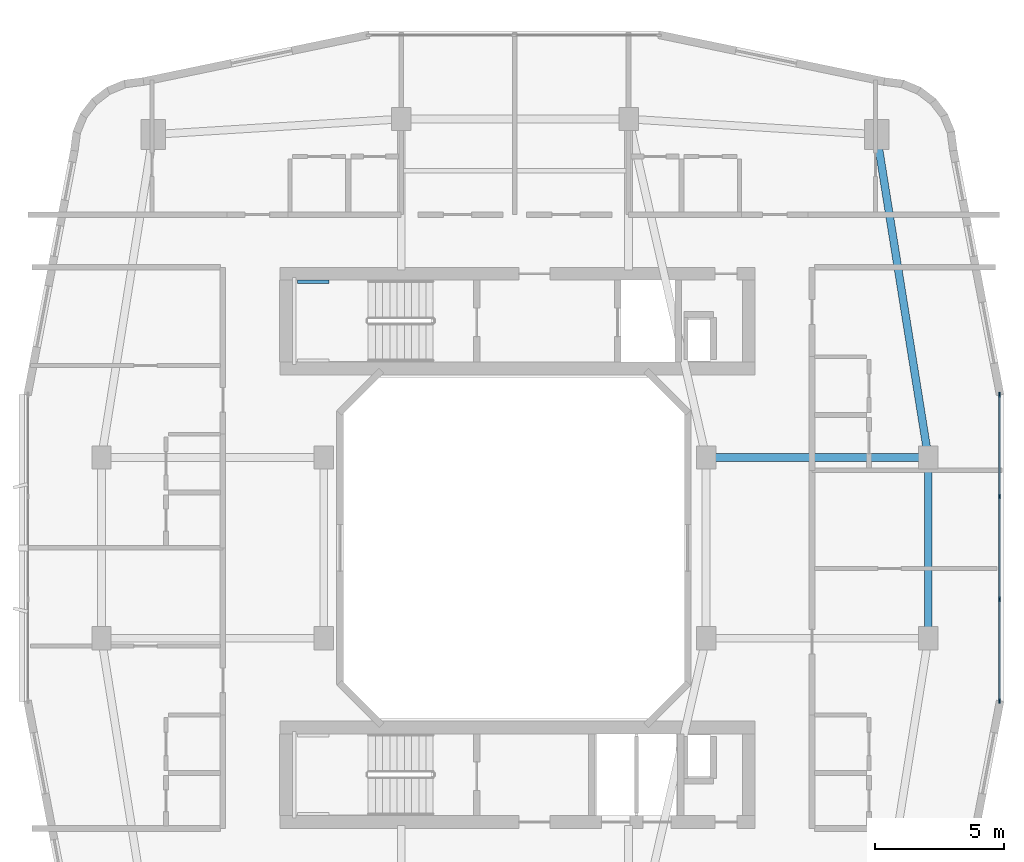
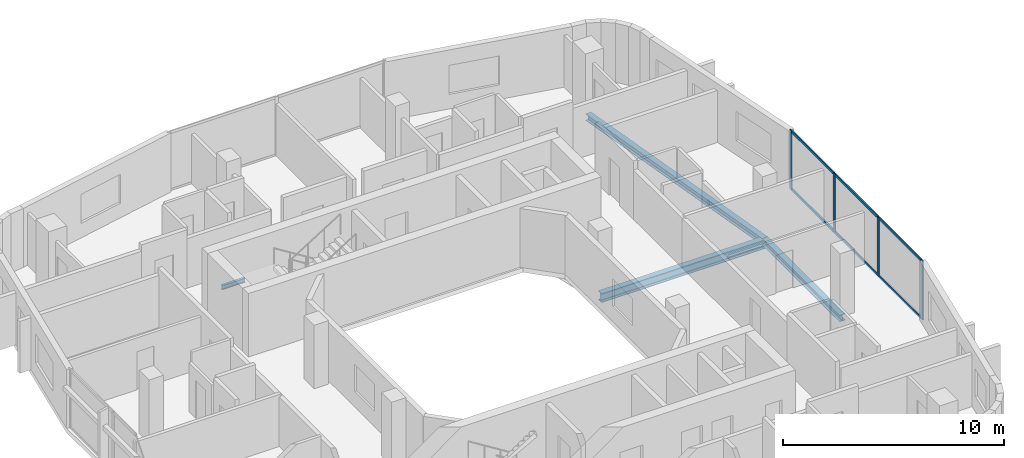
# One storey, part 10 of 26: 10 members, 4 beams, 1 element without a shape of its own.
"""IFC4 building model written with IfcOpenShell, lengths in metres."""

from ifc_helpers import new_model, si_unit, derived_unit, direction, frame, origin, origin_2d, place, context, subcontext, project, spatial, rectangle, i_section, extrude, material, layer, layer_set, material_profile, profile_set, type_object, element, aggregate, save


model = new_model("IFC4")

# Units and contexts
model_context = context("Model", 3, precision=1e-05, world=origin(), true_north=direction((0.0, 1.0)))
body_context = subcontext(model_context, "Body", "Model", "MODEL_VIEW")
ifc_project = project(units=[si_unit("LENGTHUNIT", "METRE"), si_unit("AREAUNIT", "SQUARE_METRE"), si_unit("VOLUMEUNIT", "CUBIC_METRE"), si_unit("PLANEANGLEUNIT", "RADIAN"), si_unit("MASSUNIT", "GRAM", prefix="KILO"), derived_unit("THERMALTRANSMITTANCEUNIT", [(si_unit("POWERUNIT", "WATT"), 1), (si_unit("LENGTHUNIT", "METRE"), -2), (si_unit("THERMODYNAMICTEMPERATUREUNIT", "KELVIN"), -1)])], contexts=[model_context])

# Site, building, storey
site_placement = place(None, origin())
site = spatial("IfcSite", under=ifc_project, at=site_placement, CompositionType="ELEMENT")
building_placement = place(site_placement, origin())
building = spatial("IfcBuilding", under=site, at=building_placement, Name="Kivonza Crest Hotel", CompositionType="ELEMENT")
storey_placement = place(building_placement, frame((0.0, 0.0, 62.5)))
storey = spatial("IfcBuildingStorey", under=building, at=storey_placement, Name="L16", CompositionType="ELEMENT", Elevation=62.5)

# Beams
ifc_material_1 = material(Name="Steel S355", Category="steel")
ifc_material_profile_1 = material_profile(ifc_material_1, i_section(OverallWidth=0.300048828125, OverallDepth=0.360107421875, WebThickness=0.012451171875, FlangeThickness=0.0224609375, FilletRadius=0.027099609375, at=origin_2d()), Name="HEB 360")
ifc_profile_set_1 = profile_set([ifc_material_profile_1], Name="Steel S355")
beam_type_1 = type_object("IfcBeamType", Name="BM-HEB360", PredefinedType="SPANDREL", material=ifc_profile_set_1)
beam_1_placement = place(storey_placement, frame((93.0, 21.5, -0.429931640625), z_axis=(0.0, 1.0, 0.0), x_axis=(-1.0, 0.0, 0.0)))
element("IfcBeam", 1, at=beam_1_placement, inside=storey, type_object=beam_type_1, Name="Companion Tower T2 L16 perimeter spandrel E1-E2", PredefinedType="SPANDREL", context=body_context, shape_type="SweptSolid", body=[
    extrude(i_section(OverallWidth=0.300048828125, OverallDepth=0.360107421875, WebThickness=0.012451171875, FlangeThickness=0.0224609375, FilletRadius=0.027099609375, at=origin_2d()), origin(), (0.0, 0.0, 1.0), 7.0),
])
beam_2_placement = place(storey_placement, frame((93.0, 28.5, -0.429931640625), z_axis=(-0.157990501107, 0.987440631917, 0.0), x_axis=(-0.987440631917, -0.157990501107, 0.0)))
element("IfcBeam", 2, at=beam_2_placement, inside=storey, type_object=beam_type_1, Name="Companion Tower T2 L16 perimeter spandrel E2-NE", PredefinedType="SPANDREL", context=body_context, shape_type="SweptSolid", body=[
    extrude(i_section(OverallWidth=0.300048828125, OverallDepth=0.360107421875, WebThickness=0.012451171875, FlangeThickness=0.0224609375, FilletRadius=0.027099609375, at=origin_2d()), origin(), (0.0, 0.0, 1.0), 12.658935546875),
])
ifc_material_profile_2 = material_profile(ifc_material_1, i_section(OverallWidth=0.300048828125, OverallDepth=0.5, WebThickness=0.014404296875, FlangeThickness=0.028076171875, FilletRadius=0.027099609375, at=origin_2d()), Name="HEB 500")
ifc_profile_set_2 = profile_set([ifc_material_profile_2], Name="Steel S355")
beam_type_2 = type_object("IfcBeamType", Name="BM-HEB500", PredefinedType="BEAM", material=ifc_profile_set_2)
beam_3_placement = place(storey_placement, frame((84.39990234375, 28.5, -0.5), z_axis=(1.0, 0.0, 0.0), x_axis=(0.0, 1.0, 0.0)))
element("IfcBeam", 3, at=beam_3_placement, inside=storey, type_object=beam_type_2, Name="Companion Tower T2 L16 girder WR2-E2", PredefinedType="BEAM", context=body_context, shape_type="SweptSolid", body=[
    extrude(i_section(OverallWidth=0.300048828125, OverallDepth=0.5, WebThickness=0.014404296875, FlangeThickness=0.028076171875, FilletRadius=0.027099609375, at=origin_2d()), origin(), (0.0, 0.0, 1.0), 8.60009765625),
])
ifc_material_profile_3 = material_profile(ifc_material_1, i_section(OverallWidth=0.1201171875, OverallDepth=0.239990234375, WebThickness=0.006103515625, FlangeThickness=0.009765625, FilletRadius=0.014892578125, at=origin_2d()), Name="IPE 240")
ifc_profile_set_3 = profile_set([ifc_material_profile_3], Name="Steel S355")
beam_type_3 = type_object("IfcBeamType", Name="BM-LLDG-240", PredefinedType="BEAM", material=ifc_profile_set_3)
beam_4_placement = place(storey_placement, frame((68.590087890625, 35.300048828125, 1.429931640625), z_axis=(1.0, 0.0, 0.0), x_axis=(0.0, 1.0, 0.0)))
element("IfcBeam", 4, at=beam_4_placement, inside=storey, type_object=beam_type_3, Name="Stair ST-T2-N L16 North landing corbel", PredefinedType="BEAM", context=body_context, shape_type="SweptSolid", body=[
    extrude(i_section(OverallWidth=0.1201171875, OverallDepth=0.239990234375, WebThickness=0.006103515625, FlangeThickness=0.009765625, FilletRadius=0.014892578125, at=origin_2d()), origin(), (0.0, 0.0, 1.0), 1.2099609375),
])

# Curtain wall, members
ifc_material_2 = material(Name="Anodised bronze aluminium and low-E double glazing", Category="aluminium")
ifc_layer = layer(ifc_material_2, 0.179931640625)
ifc_layer_set = layer_set([ifc_layer], Name="Anodised bronze aluminium and low-E double glazing")
curtain_wall_type = type_object("IfcCurtainWallType", Name="CW-SYS-4", PredefinedType="NOTDEFINED", material=ifc_layer_set)
curtain_wall_placement = place(storey_placement, origin())
curtain_wall = element("IfcCurtainWall", 5, at=curtain_wall_placement, inside=storey, type_object=curtain_wall_type, Name="L16 unitised curtain wall CW-T2-L16-17", PredefinedType="NOTDEFINED")
ifc_material_3 = material(Name="Anodised bronze aluminium", Category="aluminium")
ifc_material_profile_4 = material_profile(ifc_material_3, rectangle(XDim=0.06494140625, YDim=0.179931640625, at=origin_2d()), Name="CW-M 65x180")
ifc_profile_set_4 = profile_set([ifc_material_profile_4], Name="Anodised bronze aluminium")
member_type_1 = type_object("IfcMemberType", Name="CW-MUL-65x180", PredefinedType="MULLION", material=ifc_profile_set_4)
member_1_placement = place(storey_placement, frame((95.760009765625, 19.072509765625, 0.0), z_axis=(0.0, 0.0, 1.0), x_axis=(-1.0, 0.0, 0.0)))
member_1 = element("IfcMember", 6, at=member_1_placement, type_object=member_type_1, Name="CW-4 mullion 1", PredefinedType="MULLION", context=body_context, shape_type="SweptSolid", body=[
    extrude(rectangle(XDim=0.06494140625, YDim=0.179931640625, at=origin_2d()), origin(), (0.0, 0.0, 1.0), 3.25),
])
member_2_placement = place(storey_placement, frame((95.760009765625, 23.013427734375, 0.0), z_axis=(0.0, 0.0, 1.0), x_axis=(-1.0, 0.0, 0.0)))
member_2 = element("IfcMember", 7, at=member_2_placement, type_object=member_type_1, Name="CW-4 mullion 2", PredefinedType="MULLION", context=body_context, shape_type="SweptSolid", body=[
    extrude(rectangle(XDim=0.06494140625, YDim=0.179931640625, at=origin_2d()), origin(), (0.0, 0.0, 1.0), 3.25),
])
member_3_placement = place(storey_placement, frame((95.760009765625, 26.986572265625, 0.0), z_axis=(0.0, 0.0, 1.0), x_axis=(-1.0, 0.0, 0.0)))
member_3 = element("IfcMember", 8, at=member_3_placement, type_object=member_type_1, Name="CW-4 mullion 3", PredefinedType="MULLION", context=body_context, shape_type="SweptSolid", body=[
    extrude(rectangle(XDim=0.06494140625, YDim=0.179931640625, at=origin_2d()), origin(), (0.0, 0.0, 1.0), 3.25),
])
member_4_placement = place(storey_placement, frame((95.760009765625, 30.927490234375, 0.0), z_axis=(0.0, 0.0, 1.0), x_axis=(-1.0, 0.0, 0.0)))
member_4 = element("IfcMember", 9, at=member_4_placement, type_object=member_type_1, Name="CW-4 mullion 4", PredefinedType="MULLION", context=body_context, shape_type="SweptSolid", body=[
    extrude(rectangle(XDim=0.06494140625, YDim=0.179931640625, at=origin_2d()), origin(), (0.0, 0.0, 1.0), 3.25),
])
ifc_material_profile_5 = material_profile(ifc_material_3, rectangle(XDim=0.06494140625, YDim=0.139892578125, at=origin_2d()), Name="CW-T 65x140")
ifc_profile_set_5 = profile_set([ifc_material_profile_5], Name="Anodised bronze aluminium")
member_type_2 = type_object("IfcMemberType", Name="CW-TRN-65x140", PredefinedType="USERDEFINED", material=ifc_profile_set_5)
member_5_placement = place(storey_placement, frame((95.760009765625, 19.10498046875, 0.032470703125), z_axis=(0.0, 1.0, 0.0), x_axis=(-1.0, 0.0, 0.0)))
member_5 = element("IfcMember", 10, at=member_5_placement, type_object=member_type_2, Name="CW-4 transom 1.1", ObjectType="TRANSOM", PredefinedType="USERDEFINED", context=body_context, shape_type="SweptSolid", body=[
    extrude(rectangle(XDim=0.06494140625, YDim=0.139892578125, at=origin_2d()), origin(), (0.0, 0.0, 1.0), 3.875732421875),
])
member_6_placement = place(storey_placement, frame((95.760009765625, 19.10498046875, 3.217529296875), z_axis=(0.0, 1.0, 0.0), x_axis=(-1.0, 0.0, 0.0)))
member_6 = element("IfcMember", 11, at=member_6_placement, type_object=member_type_2, Name="CW-4 transom 1.2", ObjectType="TRANSOM", PredefinedType="USERDEFINED", context=body_context, shape_type="SweptSolid", body=[
    extrude(rectangle(XDim=0.06494140625, YDim=0.139892578125, at=origin_2d()), origin(), (0.0, 0.0, 1.0), 3.875732421875),
])
member_7_placement = place(storey_placement, frame((95.760009765625, 23.0458984375, 0.032470703125), z_axis=(0.0, 1.0, 0.0), x_axis=(-1.0, 0.0, 0.0)))
member_7 = element("IfcMember", 12, at=member_7_placement, type_object=member_type_2, Name="CW-4 transom 2.1", ObjectType="TRANSOM", PredefinedType="USERDEFINED", context=body_context, shape_type="SweptSolid", body=[
    extrude(rectangle(XDim=0.06494140625, YDim=0.139892578125, at=origin_2d()), origin(), (0.0, 0.0, 1.0), 3.908203125),
])
member_8_placement = place(storey_placement, frame((95.760009765625, 23.0458984375, 3.217529296875), z_axis=(0.0, 1.0, 0.0), x_axis=(-1.0, 0.0, 0.0)))
member_8 = element("IfcMember", 13, at=member_8_placement, type_object=member_type_2, Name="CW-4 transom 2.2", ObjectType="TRANSOM", PredefinedType="USERDEFINED", context=body_context, shape_type="SweptSolid", body=[
    extrude(rectangle(XDim=0.06494140625, YDim=0.139892578125, at=origin_2d()), origin(), (0.0, 0.0, 1.0), 3.908203125),
])
member_9_placement = place(storey_placement, frame((95.760009765625, 27.019287109375, 0.032470703125), z_axis=(0.0, 1.0, 0.0), x_axis=(-1.0, 0.0, 0.0)))
member_9 = element("IfcMember", 14, at=member_9_placement, type_object=member_type_2, Name="CW-4 transom 3.1", ObjectType="TRANSOM", PredefinedType="USERDEFINED", context=body_context, shape_type="SweptSolid", body=[
    extrude(rectangle(XDim=0.06494140625, YDim=0.139892578125, at=origin_2d()), origin(), (0.0, 0.0, 1.0), 3.875732421875),
])
member_10_placement = place(storey_placement, frame((95.760009765625, 27.019287109375, 3.217529296875), z_axis=(0.0, 1.0, 0.0), x_axis=(-1.0, 0.0, 0.0)))
member_10 = element("IfcMember", 15, at=member_10_placement, type_object=member_type_2, Name="CW-4 transom 3.2", ObjectType="TRANSOM", PredefinedType="USERDEFINED", context=body_context, shape_type="SweptSolid", body=[
    extrude(rectangle(XDim=0.06494140625, YDim=0.139892578125, at=origin_2d()), origin(), (0.0, 0.0, 1.0), 3.875732421875),
])
aggregate(curtain_wall, [member_1, member_2, member_3, member_4, member_5, member_6, member_7, member_8, member_9, member_10])

save(model, "model.ifc")
